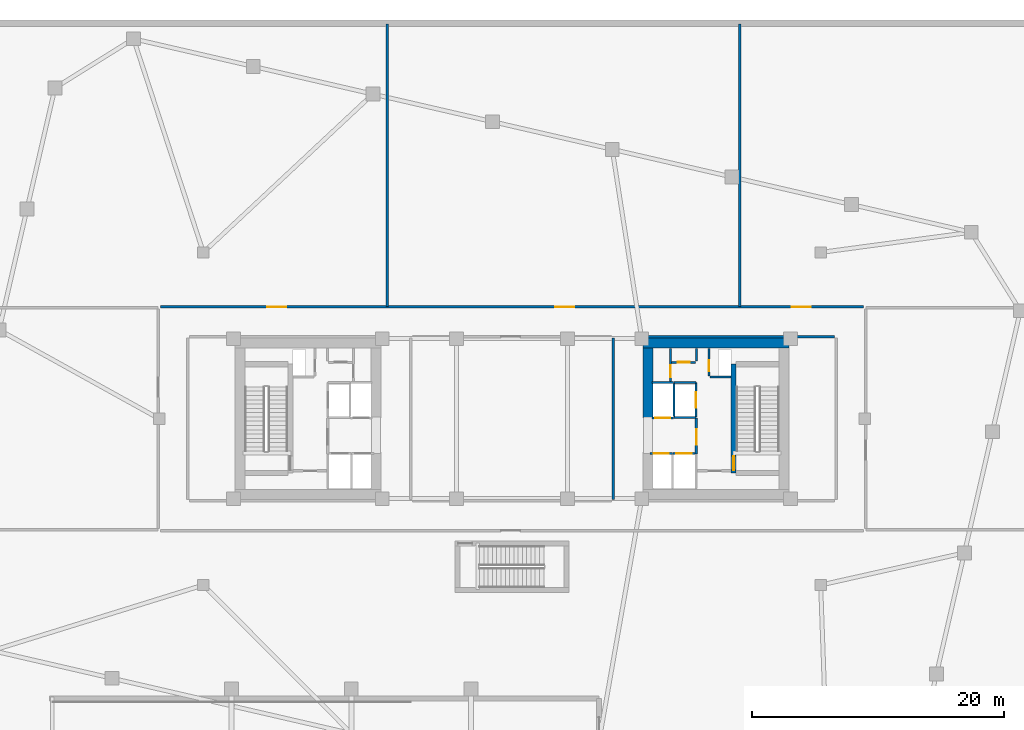
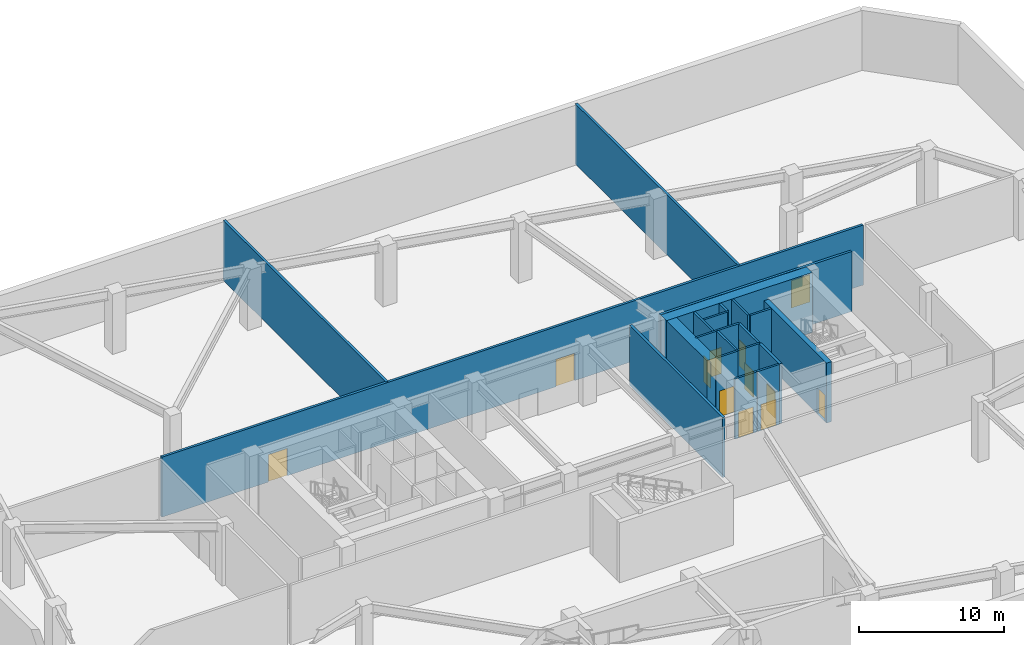
# One storey, part 7 of 11: 22 walls, 12 doors, 12 openings.
"""IFC4 building model written with IfcOpenShell, lengths in metres."""

from ifc_helpers import new_model, si_unit, direction, frame, frame_2d, origin, place, context, subcontext, project, spatial, rectangle, extrude, material, layer, layer_set, type_object, element, fill, save


model = new_model("IFC4")

# Units and contexts
model_context = context("Model", 3, precision=1e-05, world=origin(), true_north=direction((0.0, 1.0)))
body_context = subcontext(model_context, "Body", "Model", "MODEL_VIEW")
ifc_project = project(units=[si_unit("LENGTHUNIT", "METRE"), si_unit("AREAUNIT", "SQUARE_METRE"), si_unit("VOLUMEUNIT", "CUBIC_METRE"), si_unit("PLANEANGLEUNIT", "RADIAN"), si_unit("MASSUNIT", "GRAM", prefix="KILO")], contexts=[model_context])

# Site, building, storey
site_placement = place(None, origin())
site = spatial("IfcSite", under=ifc_project, at=site_placement, CompositionType="ELEMENT")
building_placement = place(site_placement, origin())
building = spatial("IfcBuilding", under=site, at=building_placement, Name="Tavrogorsk Clinical Tower", CompositionType="ELEMENT")
storey_placement = place(building_placement, frame((0.0, 0.0, -5.39990234375)))
storey = spatial("IfcBuildingStorey", under=building, at=storey_placement, Name="B1", CompositionType="ELEMENT", Elevation=-5.39990234375)

# Wall, opening, door
ifc_material_1 = material(Name="Concrete B60", Category="concrete")
ifc_layer_1 = layer(ifc_material_1, 0.199951171875)
ifc_layer_set_1 = layer_set([ifc_layer_1], Name="Concrete B60")
wall_type_1 = type_object("IfcWallType", Name="CoreFireWall_200", PredefinedType="SOLIDWALL", material=ifc_layer_set_1)
wall_1_placement = place(storey_placement, frame((14.639892578125, -2.780029296875, 0.0), z_axis=(0.0, 0.0, 1.0), x_axis=(0.0, 1.0, 0.0)))
wall_1 = element("IfcWall", 1, at=wall_1_placement, inside=storey, type_object=wall_type_1, Name="B1 Core East Firefighting Lobby Fire Wall", PredefinedType="SOLIDWALL", context=body_context, shape_type="SweptSolid", body=[
    extrude(rectangle(XDim=2.820068359375, YDim=0.199951171875, at=frame_2d((1.41015625, 0.0))), origin(), (0.0, 0.0, 1.0), 5.0498046875),
])
opening_1_placement = place(wall_1_placement, frame((0.72998046875, 0.0, 0.0)))
opening_1 = element("IfcOpeningElement", 2, at=opening_1_placement, cuts=wall_1, Name="Opening FD-01", PredefinedType="OPENING", context=body_context, shape_type="SweptSolid", body=[
    extrude(rectangle(XDim=1.199951171875, YDim=2.199951171875, at=frame_2d((0.60009765625, 1.10009765625))), frame((0.0, 0.10986328125, 0.0), z_axis=(0.0, -1.0, 0.0), x_axis=(1.0, 0.0, 0.0)), (0.0, 0.0, 1.0), 0.219970703125),
])
ifc_material_2 = material(Name="Galvanised steel fire-rated door assembly", Category="steel")
door_type_1 = type_object("IfcDoorType", Name="FireDoor_FD01_1200", OperationType="NOTDEFINED", PredefinedType="DOOR", material=ifc_material_2)
door_1_placement = place(opening_1_placement, origin())
door_1 = element("IfcDoor", 3, at=door_1_placement, inside=storey, type_object=door_type_1, Name="B1 Core East Firefighting Lobby Entry Door", OperationType="SINGLE_SWING_RIGHT", OverallHeight=2.199951171875, OverallWidth=1.199951171875, PredefinedType="DOOR", context=body_context, shape_type="SweptSolid", body=[
    extrude(rectangle(XDim=1.199951171875, YDim=2.199951171875, at=frame_2d((0.60009765625, 1.10009765625))), frame((0.0, 0.02490234375, 0.0), z_axis=(0.0, -1.0, 0.0), x_axis=(1.0, 0.0, 0.0)), (0.0, 0.0, 1.0), 0.050048828125),
])
fill(opening_1, door_1)

# Wall, openings, doors
wall_2_placement = place(storey_placement, frame((-27.89501953125, 8.8798828125, 0.0), z_axis=(0.0, 0.0, 1.0), x_axis=(1.0, 0.0, 0.0)))
wall_2 = element("IfcWall", 4, at=wall_2_placement, inside=storey, type_object=wall_type_1, Name="B1 Corridor Fire Wall 02", PredefinedType="SOLIDWALL", context=body_context, shape_type="SweptSolid", body=[
    extrude(rectangle(XDim=55.7900390625, YDim=0.199951171875, at=frame_2d((27.89501953125, 0.0))), origin(), (0.0, 0.0, 1.0), 5.0498046875),
])
opening_2_placement = place(wall_2_placement, frame((8.484130859375, 0.0, 0.0)))
opening_2 = element("IfcOpeningElement", 5, at=opening_2_placement, cuts=wall_2, Name="Opening FD-03", PredefinedType="OPENING", context=body_context, shape_type="SweptSolid", body=[
    extrude(rectangle(XDim=1.5, YDim=2.300048828125, at=frame_2d((0.75, 1.14990234375))), frame((0.0, 0.10986328125, 0.0), z_axis=(0.0, -1.0, 0.0), x_axis=(1.0, 0.0, 0.0)), (0.0, 0.0, 1.0), 0.219970703125),
])
opening_3_placement = place(wall_2_placement, frame((31.330078125, 0.0, 0.0)))
opening_3 = element("IfcOpeningElement", 6, at=opening_3_placement, cuts=wall_2, Name="Opening FD-03", PredefinedType="OPENING", context=body_context, shape_type="SweptSolid", body=[
    extrude(rectangle(XDim=1.5, YDim=2.300048828125, at=frame_2d((0.75, 1.14990234375))), frame((0.0, 0.10986328125, 0.0), z_axis=(0.0, -1.0, 0.0), x_axis=(1.0, 0.0, 0.0)), (0.0, 0.0, 1.0), 0.219970703125),
])
opening_4_placement = place(wall_2_placement, frame((50.095947265625, 0.0, 0.0)))
opening_4 = element("IfcOpeningElement", 7, at=opening_4_placement, cuts=wall_2, Name="Opening FD-03", PredefinedType="OPENING", context=body_context, shape_type="SweptSolid", body=[
    extrude(rectangle(XDim=1.5, YDim=2.300048828125, at=frame_2d((0.75, 1.14990234375))), frame((0.0, 0.10986328125, 0.0), z_axis=(0.0, -1.0, 0.0), x_axis=(1.0, 0.0, 0.0)), (0.0, 0.0, 1.0), 0.219970703125),
])
ifc_material_3 = material(Name="Galvanised steel double fire door assembly", Category="steel")
door_type_2 = type_object("IfcDoorType", Name="FireDoor_FD03_1500", OperationType="DOUBLE_SWING_LEFT", PredefinedType="DOOR", material=ifc_material_3)
door_2_placement = place(opening_2_placement, origin())
door_2 = element("IfcDoor", 8, at=door_2_placement, inside=storey, type_object=door_type_2, Name="B1 Clean & Soiled Linen Logistics Fire Door", OperationType="DOUBLE_SWING_LEFT", OverallHeight=2.300048828125, OverallWidth=1.5, PredefinedType="DOOR", context=body_context, shape_type="SweptSolid", body=[
    extrude(rectangle(XDim=1.5, YDim=2.300048828125, at=frame_2d((0.75, 1.14990234375))), frame((0.0, 0.02490234375, 0.0), z_axis=(0.0, -1.0, 0.0), x_axis=(1.0, 0.0, 0.0)), (0.0, 0.0, 1.0), 0.050048828125),
])
fill(opening_2, door_2)
door_3_placement = place(opening_3_placement, origin())
door_3 = element("IfcDoor", 9, at=door_3_placement, inside=storey, type_object=door_type_2, Name="B1 Central Dietary Catering Kitchen Fire Door", OperationType="DOUBLE_SWING_LEFT", OverallHeight=2.300048828125, OverallWidth=1.5, PredefinedType="DOOR", context=body_context, shape_type="SweptSolid", body=[
    extrude(rectangle(XDim=1.5, YDim=2.300048828125, at=frame_2d((0.75, 1.14990234375))), frame((0.0, 0.02490234375, 0.0), z_axis=(0.0, -1.0, 0.0), x_axis=(1.0, 0.0, 0.0)), (0.0, 0.0, 1.0), 0.050048828125),
])
fill(opening_3, door_3)
door_4_placement = place(opening_4_placement, origin())
door_4 = element("IfcDoor", 10, at=door_4_placement, inside=storey, type_object=door_type_2, Name="B1 Mosenergo Heating ITP & Steam Plant Fire Door", OperationType="DOUBLE_SWING_LEFT", OverallHeight=2.300048828125, OverallWidth=1.5, PredefinedType="DOOR", context=body_context, shape_type="SweptSolid", body=[
    extrude(rectangle(XDim=1.5, YDim=2.300048828125, at=frame_2d((0.75, 1.14990234375))), frame((0.0, 0.02490234375, 0.0), z_axis=(0.0, -1.0, 0.0), x_axis=(1.0, 0.0, 0.0)), (0.0, 0.0, 1.0), 0.050048828125),
])
fill(opening_4, door_4)

# Walls
wall_3_placement = place(storey_placement, frame((25.614990234375, 6.52001953125, 0.0), z_axis=(0.0, 0.0, 1.0), x_axis=(-1.0, 0.0, 0.0)))
element("IfcWall", 11, at=wall_3_placement, inside=storey, type_object=wall_type_1, Name="B1 Corridor Fire Wall 05", PredefinedType="SOLIDWALL", context=body_context, shape_type="SweptSolid", body=[
    extrude(rectangle(XDim=15.235107421875, YDim=0.199951171875, at=frame_2d((7.61767578125, 0.0))), origin(), (0.0, 0.0, 1.0), 5.0498046875),
])
wall_4_placement = place(storey_placement, frame((8.02001953125, -6.4150390625, 0.0), z_axis=(0.0, 0.0, 1.0), x_axis=(0.0, 1.0, 0.0)))
element("IfcWall", 12, at=wall_4_placement, inside=storey, type_object=wall_type_1, Name="B1 Corridor Fire Wall 08", PredefinedType="SOLIDWALL", context=body_context, shape_type="SweptSolid", body=[
    extrude(rectangle(XDim=12.830078125, YDim=0.199951171875, at=frame_2d((6.4150390625, 0.0))), origin(), (0.0, 0.0, 1.0), 5.0498046875),
])
for number, where, z_axis, x_axis, name in (
    (13, (-9.919921875, 8.905029296875, 0.0), (0.0, 0.0, 1.0), (0.0, 1.0, 0.0), "B1 Compartment Fire Wall 5"),
    (14, (18.080078125, 8.905029296875, 0.0), (0.0, 0.0, 1.0), (0.0, 1.0, 0.0), "B1 Compartment Fire Wall 6"),
):
    element("IfcWall", number, at=place(storey_placement, frame(where, z_axis=z_axis, x_axis=x_axis)), inside=storey, type_object=wall_type_1, Name=name, PredefinedType="SOLIDWALL", context=body_context, shape_type="SweptSolid", body=[
        extrude(rectangle(XDim=22.4150390625, YDim=0.199951171875, at=frame_2d((11.20751953125, 0.0))), origin(), (0.0, 0.0, 1.0), 5.0498046875),
    ])

# Wall, opening, door
ifc_material_4 = material(Name="Lightweight concrete blockwork B15", Category="masonry")
ifc_layer_2 = layer(ifc_material_4, 0.159912109375)
ifc_layer_set_2 = layer_set([ifc_layer_2], Name="Lightweight concrete blockwork B15")
wall_type_2 = type_object("IfcWallType", Name="PartitionWall_160", PredefinedType="PARTITIONING", material=ifc_layer_set_2)
wall_5_placement = place(storey_placement, frame((12.580078125, 2.9599609375, 0.0), z_axis=(0.0, 0.0, 1.0), x_axis=(0.0, 1.0, 0.0)))
wall_5 = element("IfcWall", 15, at=wall_5_placement, inside=storey, type_object=wall_type_2, Name="B1 Core East Linen Closet Wall", PredefinedType="PARTITIONING", context=body_context, shape_type="SweptSolid", body=[
    extrude(rectangle(XDim=2.60009765625, YDim=0.159912109375, at=frame_2d((1.300048828125, 0.0))), origin(), (0.0, 0.0, 1.0), 5.0498046875),
])
opening_5_placement = place(wall_5_placement, frame((0.35009765625, 0.0, 0.0)))
opening_5 = element("IfcOpeningElement", 16, at=opening_5_placement, cuts=wall_5, Name="Opening ID-02", PredefinedType="OPENING", context=body_context, shape_type="SweptSolid", body=[
    extrude(rectangle(XDim=0.949951171875, YDim=2.199951171875, at=frame_2d((0.47509765625, 1.10009765625))), frame((0.0, 0.08984375, 0.0), z_axis=(0.0, -1.0, 0.0), x_axis=(1.0, 0.0, 0.0)), (0.0, 0.0, 1.0), 0.179931640625),
])
ifc_material_5 = material(Name="Laminated timber leaf on aluminium frame", Category="wood")
door_type_3 = type_object("IfcDoorType", Name="InteriorDoor_ID02_950", OperationType="NOTDEFINED", PredefinedType="DOOR", material=ifc_material_5)
door_5_placement = place(opening_5_placement, origin())
door_5 = element("IfcDoor", 17, at=door_5_placement, inside=storey, type_object=door_type_3, Name="B1 Core East Linen Closet Door", OperationType="SINGLE_SWING_RIGHT", OverallHeight=2.199951171875, OverallWidth=0.949951171875, PredefinedType="DOOR", context=body_context, shape_type="SweptSolid", body=[
    extrude(rectangle(XDim=0.949951171875, YDim=2.199951171875, at=frame_2d((0.47509765625, 1.10009765625))), frame((0.0, 0.02490234375, 0.0), z_axis=(0.0, -1.0, 0.0), x_axis=(1.0, 0.0, 0.0)), (0.0, 0.0, 1.0), 0.050048828125),
])
fill(opening_5, door_5)

wall_6_placement = place(storey_placement, frame((12.6650390625, 4.47998046875, 0.0), z_axis=(0.0, 0.0, 1.0), x_axis=(1.0, 0.0, 0.0)))
wall_6 = element("IfcWall", 18, at=wall_6_placement, inside=storey, type_object=wall_type_2, Name="B1 Core East Housekeeping South Wall", PredefinedType="PARTITIONING", context=body_context, shape_type="SweptSolid", body=[
    extrude(rectangle(XDim=1.889892578125, YDim=0.159912109375, at=frame_2d((0.94482421875, 0.0))), origin(), (0.0, 0.0, 1.0), 5.0498046875),
])
opening_6_placement = place(wall_6_placement, frame((0.5, 0.0, 0.0)))
opening_6 = element("IfcOpeningElement", 19, at=opening_6_placement, cuts=wall_6, Name="Opening ID-02", PredefinedType="OPENING", context=body_context, shape_type="SweptSolid", body=[
    extrude(rectangle(XDim=0.949951171875, YDim=2.199951171875, at=frame_2d((0.47509765625, 1.10009765625))), frame((0.0, 0.08984375, 0.0), z_axis=(0.0, -1.0, 0.0), x_axis=(1.0, 0.0, 0.0)), (0.0, 0.0, 1.0), 0.179931640625),
])
door_6_placement = place(opening_6_placement, origin())
door_6 = element("IfcDoor", 20, at=door_6_placement, inside=storey, type_object=door_type_3, Name="B1 Core East Housekeeping Closet Door", OperationType="SINGLE_SWING_LEFT", OverallHeight=2.199951171875, OverallWidth=0.949951171875, PredefinedType="DOOR", context=body_context, shape_type="SweptSolid", body=[
    extrude(rectangle(XDim=0.949951171875, YDim=2.199951171875, at=frame_2d((0.47509765625, 1.10009765625))), frame((0.0, 0.02490234375, 0.0), z_axis=(0.0, -1.0, 0.0), x_axis=(1.0, 0.0, 0.0)), (0.0, 0.0, 1.0), 0.050048828125),
])
fill(opening_6, door_6)

# Wall
wall_7_placement = place(storey_placement, frame((14.639892578125, 4.56494140625, 0.0), z_axis=(0.0, 0.0, 1.0), x_axis=(0.0, 1.0, 0.0)))
element("IfcWall", 21, at=wall_7_placement, inside=storey, type_object=wall_type_2, Name="B1 Core East Housekeeping East Wall", PredefinedType="PARTITIONING", context=body_context, shape_type="SweptSolid", body=[
    extrude(rectangle(XDim=0.9951171875, YDim=0.159912109375, at=frame_2d((0.49755859375, 0.0))), origin(), (0.0, 0.0, 1.0), 5.0498046875),
])

# Wall, opening, door
ifc_material_6 = material(Name="Lightweight concrete blockwork B25", Category="masonry")
ifc_layer_3 = layer(ifc_material_6, 0.159912109375)
ifc_layer_set_3 = layer_set([ifc_layer_3], Name="Lightweight concrete blockwork B25")
wall_type_3 = type_object("IfcWallType", Name="ShaftWall_160", PredefinedType="PARTITIONING", material=ifc_layer_set_3)
wall_8_placement = place(storey_placement, frame((14.60009765625, 0.1201171875, 0.0), z_axis=(0.0, 0.0, 1.0), x_axis=(0.0, 1.0, 0.0)))
wall_8 = element("IfcWall", 22, at=wall_8_placement, inside=storey, type_object=wall_type_3, Name="B1 FFL-E Firefighting Lift Front Wall", PredefinedType="PARTITIONING", context=body_context, shape_type="SweptSolid", body=[
    extrude(rectangle(XDim=2.739990234375, YDim=0.159912109375, at=frame_2d((1.3701171875, 0.0))), origin(), (0.0, 0.0, 1.0), 5.0498046875),
])
opening_7_placement = place(wall_8_placement, frame((0.77001953125, 0.0, 0.0)))
opening_7 = element("IfcOpeningElement", 23, at=opening_7_placement, cuts=wall_8, Name="Opening LD", PredefinedType="OPENING", context=body_context, shape_type="SweptSolid", body=[
    extrude(rectangle(XDim=1.199951171875, YDim=2.199951171875, at=frame_2d((0.60009765625, 1.10009765625))), frame((0.0, 0.08984375, 0.0), z_axis=(0.0, -1.0, 0.0), x_axis=(1.0, 0.0, 0.0)), (0.0, 0.0, 1.0), 0.179931640625),
])
ifc_material_7 = material(Name="Brushed stainless steel AISI 304 sliding doors", Category="steel")
door_type_4 = type_object("IfcDoorType", Name="LiftLandingDoor_LD_1200", OperationType="SLIDING_TO_LEFT", PredefinedType="DOOR", material=ifc_material_7)
door_7_placement = place(opening_7_placement, origin())
door_7 = element("IfcDoor", 24, at=door_7_placement, inside=storey, type_object=door_type_4, Name="B1 FFL-E Sliding Lift Landing Door", OperationType="SLIDING_TO_LEFT", OverallHeight=2.199951171875, OverallWidth=1.199951171875, PredefinedType="DOOR", context=body_context, shape_type="SweptSolid", body=[
    extrude(rectangle(XDim=1.199951171875, YDim=2.199951171875, at=frame_2d((0.60009765625, 1.10009765625))), frame((0.0, 0.02490234375, 0.0), z_axis=(0.0, -1.0, 0.0), x_axis=(1.0, 0.0, 0.0)), (0.0, 0.0, 1.0), 0.050048828125),
])
fill(opening_7, door_7)

# Walls
for number, where, z_axis, x_axis, name in (
    (25, (12.840087890625, 0.10009765625, 0.0), (0.0, 0.0, 1.0), (1.0, 0.0, 0.0), "B1 FFL-E Shaft South Wall"),
    (26, (12.840087890625, 2.8798828125, 0.0), (0.0, 0.0, 1.0), (1.0, 0.0, 0.0), "B1 FFL-E Shaft North Wall"),
):
    element("IfcWall", number, at=place(storey_placement, frame(where, z_axis=z_axis, x_axis=x_axis)), inside=storey, type_object=wall_type_3, Name=name, PredefinedType="PARTITIONING", context=body_context, shape_type="SweptSolid", body=[
        extrude(rectangle(XDim=1.760009765625, YDim=0.159912109375, at=frame_2d((0.8798828125, 0.0))), origin(), (0.0, 0.0, 1.0), 5.0498046875),
    ])
wall_9_placement = place(storey_placement, frame((12.840087890625, 0.179931640625, 0.0), z_axis=(0.0, 0.0, 1.0), x_axis=(0.0, 1.0, 0.0)))
element("IfcWall", 27, at=wall_9_placement, inside=storey, type_object=wall_type_3, Name="B1 FFL-E Shaft Back Wall", PredefinedType="PARTITIONING", context=body_context, shape_type="SweptSolid", body=[
    extrude(rectangle(XDim=2.6201171875, YDim=0.159912109375, at=frame_2d((1.31005859375, 0.0))), origin(), (0.0, 0.0, 1.0), 5.0498046875),
])

# Wall, opening, door
wall_10_placement = place(storey_placement, frame((12.77001953125, -2.75, 0.0), z_axis=(0.0, 0.0, 1.0), x_axis=(1.0, 0.0, 0.0)))
wall_10 = element("IfcWall", 28, at=wall_10_placement, inside=storey, type_object=wall_type_3, Name="B1 LP-L2 Lift Shaft Portal Wall", PredefinedType="PARTITIONING", context=body_context, shape_type="SweptSolid", body=[
    extrude(rectangle(XDim=1.760009765625, YDim=0.159912109375, at=frame_2d((0.8798828125, 0.0))), origin(), (0.0, 0.0, 1.0), 5.0498046875),
])
opening_8_placement = place(wall_10_placement, frame((0.280029296875, 0.0, 0.0)))
opening_8 = element("IfcOpeningElement", 29, at=opening_8_placement, cuts=wall_10, Name="Opening LD", PredefinedType="OPENING", context=body_context, shape_type="SweptSolid", body=[
    extrude(rectangle(XDim=1.199951171875, YDim=2.199951171875, at=frame_2d((0.60009765625, 1.10009765625))), frame((0.0, 0.08984375, 0.0), z_axis=(0.0, -1.0, 0.0), x_axis=(1.0, 0.0, 0.0)), (0.0, 0.0, 1.0), 0.179931640625),
])
door_8_placement = place(opening_8_placement, origin())
door_8 = element("IfcDoor", 30, at=door_8_placement, inside=storey, type_object=door_type_4, Name="B1 LP-L2 Sliding Lift Landing Door", OperationType="SLIDING_TO_LEFT", OverallHeight=2.199951171875, OverallWidth=1.199951171875, PredefinedType="DOOR", context=body_context, shape_type="SweptSolid", body=[
    extrude(rectangle(XDim=1.199951171875, YDim=2.199951171875, at=frame_2d((0.60009765625, 1.10009765625))), frame((0.0, 0.02490234375, 0.0), z_axis=(0.0, -1.0, 0.0), x_axis=(1.0, 0.0, 0.0)), (0.0, 0.0, 1.0), 0.050048828125),
])
fill(opening_8, door_8)

wall_11_placement = place(storey_placement, frame((10.969970703125, -2.75, 0.0), z_axis=(0.0, 0.0, 1.0), x_axis=(1.0, 0.0, 0.0)))
wall_11 = element("IfcWall", 31, at=wall_11_placement, inside=storey, type_object=wall_type_3, Name="B1 LP-M2 Lift Shaft Portal Wall", PredefinedType="PARTITIONING", context=body_context, shape_type="SweptSolid", body=[
    extrude(rectangle(XDim=1.760009765625, YDim=0.159912109375, at=frame_2d((0.8798828125, 0.0))), origin(), (0.0, 0.0, 1.0), 5.0498046875),
])
opening_9_placement = place(wall_11_placement, frame((0.280029296875, 0.0, 0.0)))
opening_9 = element("IfcOpeningElement", 32, at=opening_9_placement, cuts=wall_11, Name="Opening LD", PredefinedType="OPENING", context=body_context, shape_type="SweptSolid", body=[
    extrude(rectangle(XDim=1.199951171875, YDim=2.199951171875, at=frame_2d((0.60009765625, 1.10009765625))), frame((0.0, 0.08984375, 0.0), z_axis=(0.0, -1.0, 0.0), x_axis=(1.0, 0.0, 0.0)), (0.0, 0.0, 1.0), 0.179931640625),
])
door_9_placement = place(opening_9_placement, origin())
door_9 = element("IfcDoor", 33, at=door_9_placement, inside=storey, type_object=door_type_4, Name="B1 LP-M2 Sliding Lift Landing Door", OperationType="SLIDING_TO_LEFT", OverallHeight=2.199951171875, OverallWidth=1.199951171875, PredefinedType="DOOR", context=body_context, shape_type="SweptSolid", body=[
    extrude(rectangle(XDim=1.199951171875, YDim=2.199951171875, at=frame_2d((0.60009765625, 1.10009765625))), frame((0.0, 0.02490234375, 0.0), z_axis=(0.0, -1.0, 0.0), x_axis=(1.0, 0.0, 0.0)), (0.0, 0.0, 1.0), 0.050048828125),
])
fill(opening_9, door_9)

wall_12_placement = place(storey_placement, frame((11.10009765625, 0.06005859375, 0.0), z_axis=(0.0, 0.0, 1.0), x_axis=(1.0, 0.0, 0.0)))
wall_12 = element("IfcWall", 34, at=wall_12_placement, inside=storey, type_object=wall_type_3, Name="B1 LP-H2 High-Zone Lift Portal Wall", PredefinedType="PARTITIONING", context=body_context, shape_type="SweptSolid", body=[
    extrude(rectangle(XDim=1.719970703125, YDim=0.159912109375, at=frame_2d((0.85986328125, 0.0))), origin(), (0.0, 0.0, 1.0), 5.0498046875),
])
opening_10_placement = place(wall_12_placement, frame((0.260009765625, 0.0, 0.0)))
opening_10 = element("IfcOpeningElement", 35, at=opening_10_placement, cuts=wall_12, Name="Opening LD", PredefinedType="OPENING", context=body_context, shape_type="SweptSolid", body=[
    extrude(rectangle(XDim=1.199951171875, YDim=2.199951171875, at=frame_2d((0.60009765625, 1.10009765625))), frame((0.0, 0.08984375, 0.0), z_axis=(0.0, -1.0, 0.0), x_axis=(1.0, 0.0, 0.0)), (0.0, 0.0, 1.0), 0.179931640625),
])
door_10_placement = place(opening_10_placement, origin())
door_10 = element("IfcDoor", 36, at=door_10_placement, inside=storey, type_object=door_type_4, Name="B1 LP-H2 Sliding Lift Landing Door", OperationType="SLIDING_TO_LEFT", OverallHeight=2.199951171875, OverallWidth=1.199951171875, PredefinedType="DOOR", context=body_context, shape_type="SweptSolid", body=[
    extrude(rectangle(XDim=1.199951171875, YDim=2.199951171875, at=frame_2d((0.60009765625, 1.10009765625))), frame((0.0, 0.02490234375, 0.0), z_axis=(0.0, -1.0, 0.0), x_axis=(1.0, 0.0, 0.0)), (0.0, 0.0, 1.0), 0.050048828125),
])
fill(opening_10, door_10)

# Wall
wall_13_placement = place(storey_placement, frame((11.10009765625, 2.860107421875, 0.0), z_axis=(0.0, 0.0, 1.0), x_axis=(1.0, 0.0, 0.0)))
element("IfcWall", 37, at=wall_13_placement, inside=storey, type_object=wall_type_3, Name="B1 LP-H2 High-Zone Lift Rear Wall", PredefinedType="PARTITIONING", context=body_context, shape_type="SweptSolid", body=[
    extrude(rectangle(XDim=1.719970703125, YDim=0.159912109375, at=frame_2d((0.85986328125, 0.0))), origin(), (0.0, 0.0, 1.0), 5.0498046875),
])

# Wall, opening, door
wall_14_placement = place(storey_placement, frame((15.639892578125, 3.405029296875, 0.0), z_axis=(0.0, 0.0, 1.0), x_axis=(0.0, 1.0, 0.0)))
wall_14 = element("IfcWall", 38, at=wall_14_placement, inside=storey, type_object=wall_type_3, Name="B1 Core East Riser West Wall", PredefinedType="PARTITIONING", context=body_context, shape_type="SweptSolid", body=[
    extrude(rectangle(XDim=2.155029296875, YDim=0.159912109375, at=frame_2d((1.07763671875, 0.0))), origin(), (0.0, 0.0, 1.0), 5.0498046875),
])
opening_11_placement = place(wall_14_placement, frame((0.35009765625, 0.0, 0.0)))
opening_11 = element("IfcOpeningElement", 39, at=opening_11_placement, cuts=wall_14, Name="Opening FD-02", PredefinedType="OPENING", context=body_context, shape_type="SweptSolid", body=[
    extrude(rectangle(XDim=0.89990234375, YDim=2.199951171875, at=frame_2d((0.449951171875, 1.10009765625))), frame((0.0, 0.08984375, 0.0), z_axis=(0.0, -1.0, 0.0), x_axis=(1.0, 0.0, 0.0)), (0.0, 0.0, 1.0), 0.179931640625),
])
ifc_material_8 = material(Name="Galvanised steel fire-rated door assembly", Category="steel")
door_type_5 = type_object("IfcDoorType", Name="FireDoor_FD02_900", OperationType="NOTDEFINED", PredefinedType="DOOR", material=ifc_material_8)
door_11_placement = place(opening_11_placement, origin())
door_11 = element("IfcDoor", 40, at=door_11_placement, inside=storey, type_object=door_type_5, Name="B1 Core East Electrical Riser Access Door", OperationType="SINGLE_SWING_RIGHT", OverallHeight=2.199951171875, OverallWidth=0.89990234375, PredefinedType="DOOR", context=body_context, shape_type="SweptSolid", body=[
    extrude(rectangle(XDim=0.89990234375, YDim=2.199951171875, at=frame_2d((0.449951171875, 1.10009765625))), frame((0.0, 0.02490234375, 0.0), z_axis=(0.0, -1.0, 0.0), x_axis=(1.0, 0.0, 0.0)), (0.0, 0.0, 1.0), 0.050048828125),
])
fill(opening_11, door_11)

# Wall
wall_15_placement = place(storey_placement, frame((15.72509765625, 3.320068359375, 0.0), z_axis=(0.0, 0.0, 1.0), x_axis=(1.0, 0.0, 0.0)))
element("IfcWall", 41, at=wall_15_placement, inside=storey, type_object=wall_type_3, Name="B1 Core East Riser South Wall", PredefinedType="PARTITIONING", context=body_context, shape_type="SweptSolid", body=[
    extrude(rectangle(XDim=1.65478515625, YDim=0.159912109375, at=frame_2d((0.827392578125, 0.0))), origin(), (0.0, 0.0, 1.0), 5.0498046875),
])

# Wall, opening, door
ifc_material_9 = material(Name="Concrete B80", Category="concrete")
ifc_layer_4 = layer(ifc_material_9, 0.39990234375)
ifc_layer_set_4 = layer_set([ifc_layer_4], Name="Concrete B80")
wall_type_4 = type_object("IfcWallType", Name="ShearWall_400", PredefinedType="SHEAR", material=ifc_layer_set_4)
wall_16_placement = place(storey_placement, frame((17.60009765625, -4.324951171875, 0.0), z_axis=(0.0, 0.0, 1.0), x_axis=(0.0, 1.0, 0.0)))
wall_16 = element("IfcWall", 42, at=wall_16_placement, inside=storey, type_object=wall_type_4, Name="B1 Core East Stair Shaft Inner Shear Wall", PredefinedType="SHEAR", context=body_context, shape_type="SweptSolid", body=[
    extrude(rectangle(XDim=8.64990234375, YDim=0.39990234375, at=frame_2d((4.324951171875, 0.0))), origin(), (0.0, 0.0, 1.0), 5.0498046875),
])
opening_12_placement = place(wall_16_placement, frame((0.25, 0.0, 0.0)))
opening_12 = element("IfcOpeningElement", 43, at=opening_12_placement, cuts=wall_16, Name="Opening SD-01", PredefinedType="OPENING", context=body_context, shape_type="SweptSolid", body=[
    extrude(rectangle(XDim=1.10009765625, YDim=2.199951171875, at=frame_2d((0.550048828125, 1.10009765625))), frame((0.0, 0.2099609375, 0.0), z_axis=(0.0, -1.0, 0.0), x_axis=(1.0, 0.0, 0.0)), (0.0, 0.0, 1.0), 0.419921875),
])
ifc_material_10 = material(Name="Galvanised steel smoke-tight fire door assembly", Category="steel")
door_type_6 = type_object("IfcDoorType", Name="StairFireDoor_SD01_1100", OperationType="NOTDEFINED", PredefinedType="DOOR", material=ifc_material_10)
door_12_placement = place(opening_12_placement, origin())
door_12 = element("IfcDoor", 44, at=door_12_placement, inside=storey, type_object=door_type_6, Name="B1 ST-E Exit Stair Door", OperationType="SINGLE_SWING_LEFT", OverallHeight=2.199951171875, OverallWidth=1.10009765625, PredefinedType="DOOR", context=body_context, shape_type="SweptSolid", body=[
    extrude(rectangle(XDim=1.10009765625, YDim=2.199951171875, at=frame_2d((0.550048828125, 1.10009765625))), frame((0.0, 0.02490234375, 0.0), z_axis=(0.0, -1.0, 0.0), x_axis=(1.0, 0.0, 0.0)), (0.0, 0.0, 1.0), 0.050048828125),
])
fill(opening_12, door_12)

# Walls
ifc_material_11 = material(Name="Concrete B80", Category="concrete")
ifc_layer_5 = layer(ifc_material_11, 0.800048828125)
ifc_layer_set_5 = layer_set([ifc_layer_5], Name="Concrete B80")
wall_type_5 = type_object("IfcWallType", Name="ShearWall_800", PredefinedType="SHEAR", material=ifc_layer_set_5)
wall_17_placement = place(storey_placement, frame((10.39990234375, 6.0, 0.0), z_axis=(0.0, 0.0, 1.0), x_axis=(1.0, 0.0, 0.0)))
element("IfcWall", 45, at=wall_17_placement, inside=storey, type_object=wall_type_5, Name="B1 Core East North Shear Wall", PredefinedType="SHEAR", context=body_context, shape_type="SweptSolid", body=[
    extrude(rectangle(XDim=11.60009765625, YDim=0.800048828125, at=frame_2d((5.800048828125, 0.0))), origin(), (0.0, 0.0, 1.0), 5.0498046875),
])
wall_18_placement = place(storey_placement, frame((10.800048828125, 0.050048828125, 0.0), z_axis=(0.0, 0.0, 1.0), x_axis=(0.0, 1.0, 0.0)))
element("IfcWall", 46, at=wall_18_placement, inside=storey, type_object=wall_type_5, Name="B1 Core East Inner North Pier", PredefinedType="SHEAR", context=body_context, shape_type="SweptSolid", body=[
    extrude(rectangle(XDim=5.550048828125, YDim=0.800048828125, at=frame_2d((2.77490234375, 0.0))), origin(), (0.0, 0.0, 1.0), 5.0498046875),
])

save(model, "model.ifc")
